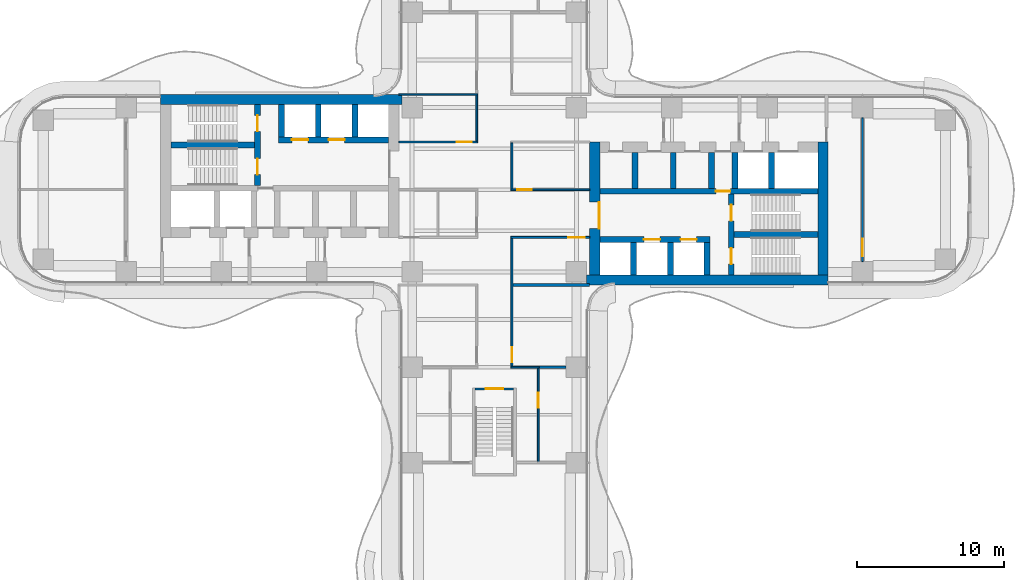
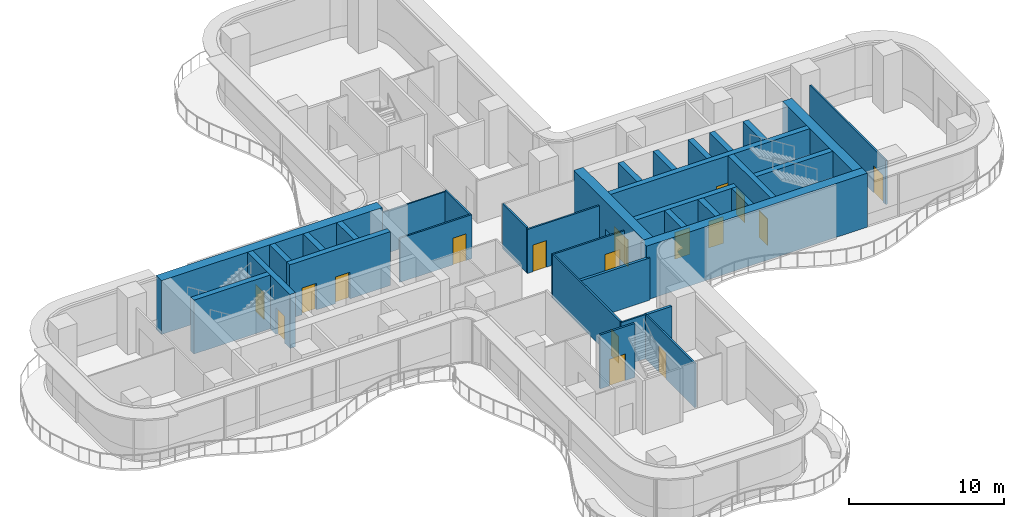
# One storey, part 18 of 22: 35 walls, 17 doors, 17 openings.
"""IFC4 building model written with IfcOpenShell, lengths in metres."""

from ifc_helpers import new_model, si_unit, direction, frame, frame_2d, origin, place, context, subcontext, project, spatial, rectangle, extrude, source, transform, mapped, material, layer, layer_set, type_object, element, fill, save


model = new_model("IFC4")

# Units and contexts
model_context = context("Model", 3, precision=1e-05, world=origin(), true_north=direction((0.0, 1.0)))
body_context = subcontext(model_context, "Body", "Model", "MODEL_VIEW")
ifc_project = project(units=[si_unit("LENGTHUNIT", "METRE"), si_unit("AREAUNIT", "SQUARE_METRE"), si_unit("VOLUMEUNIT", "CUBIC_METRE"), si_unit("PLANEANGLEUNIT", "RADIAN"), si_unit("MASSUNIT", "GRAM", prefix="KILO")], contexts=[model_context])

# Site, building, storey
site_placement = place(None, origin())
site = spatial("IfcSite", under=ifc_project, at=site_placement, CompositionType="ELEMENT")
building_placement = place(site_placement, origin())
building = spatial("IfcBuilding", under=site, at=building_placement, Name="Trellis Farm Tower", CompositionType="ELEMENT")
storey_placement = place(building_placement, frame((0.0, 0.0, 43.0)))
storey = spatial("IfcBuildingStorey", under=building, at=storey_placement, Name="L08", CompositionType="ELEMENT", Elevation=43.0)

# Wall, opening, door
ifc_material_1 = material(Name="Concrete C80/95", Category="concrete")
ifc_layer_1 = layer(ifc_material_1, 0.699951171875)
ifc_layer_set_1 = layer_set([ifc_layer_1], Name="CORE OUTER WALL 700 CONCRETE C80/95")
wall_type_1 = type_object("IfcWallType", Name="CORE OUTER WALL 700 CONCRETE C80/95", PredefinedType="SHEAR", material=ifc_layer_set_1)
shared_shape_1 = source(origin(), body_context, "Body", "SweptSolid", [
    extrude(rectangle(XDim=9.050048828125, YDim=0.699951171875, at=frame_2d((4.52490234375, 0.0))), origin(), (0.0, 0.0, 1.0), 4.25),
])
wall_1_placement = place(storey_placement, frame((6.85009765625, -5.800048828125, 0.0), z_axis=(0.0, 0.0, 1.0), x_axis=(0.0, 1.0, 0.0)))
wall_1 = element("IfcWall", 1, at=wall_1_placement, inside=storey, type_object=wall_type_1, Name="Core wall", PredefinedType="SHEAR", context=body_context, shape_type="MappedRepresentation", body=[
    mapped(shared_shape_1, transform((0.0, 0.0, 0.0))),
])
shared_shape_2 = source(origin(), body_context, "Body", "SweptSolid", [
    extrude(rectangle(XDim=1.800048828125, YDim=2.10009765625, at=frame_2d((0.89990234375, 1.050048828125))), frame((0.0, 0.360107421875, 0.0), z_axis=(0.0, -1.0, 0.0), x_axis=(1.0, 0.0, 0.0)), (0.0, 0.0, 1.0), 0.72021484375),
])
opening_1_placement = place(wall_1_placement, frame((3.14990234375, 0.0, 0.0)))
opening_1 = element("IfcOpeningElement", 2, at=opening_1_placement, cuts=wall_1, Name="Opening DC1", PredefinedType="OPENING", context=body_context, shape_type="MappedRepresentation", body=[
    mapped(shared_shape_2, transform((0.0, 0.0, 0.0))),
])
ifc_material_2 = material(Name="Steel", Category="steel")
door_type_1 = type_object("IfcDoorType", Name="CORE FIRE DOOR DOUBLE 1800 X 2100", OperationType="DOUBLE_DOOR_SINGLE_SWING", PredefinedType="DOOR", material=ifc_material_2)
shared_shape_3 = source(origin(), body_context, "Body", "SweptSolid", [
    extrude(rectangle(XDim=1.800048828125, YDim=2.10009765625, at=frame_2d((0.89990234375, 1.050048828125))), frame((0.0, -0.27490234375, 0.0), z_axis=(0.0, -1.0, 0.0), x_axis=(1.0, 0.0, 0.0)), (0.0, 0.0, 1.0), 0.050048828125),
])
door_1_placement = place(opening_1_placement, origin())
door_1 = element("IfcDoor", 3, at=door_1_placement, inside=storey, type_object=door_type_1, Name="Core door", OperationType="DOUBLE_DOOR_SINGLE_SWING", OverallHeight=2.10009765625, OverallWidth=1.800048828125, PredefinedType="DOOR", context=body_context, shape_type="MappedRepresentation", body=[
    mapped(shared_shape_3, transform((0.0, 0.0, 0.0))),
])
fill(opening_1, door_1)

# Walls
wall_2_placement = place(storey_placement, frame((22.39990234375, -5.800048828125, 0.0), z_axis=(0.0, 0.0, 1.0), x_axis=(0.0, 1.0, 0.0)))
element("IfcWall", 4, at=wall_2_placement, inside=storey, type_object=wall_type_1, Name="Core wall", PredefinedType="SHEAR", context=body_context, shape_type="MappedRepresentation", body=[
    mapped(shared_shape_1, transform((0.0, 0.0, 0.0))),
])
ifc_layer_2 = layer(ifc_material_1, 0.39990234375)
ifc_layer_set_2 = layer_set([ifc_layer_2], Name="CORE INNER WALL 400 CONCRETE C80/95")
wall_type_2 = type_object("IfcWallType", Name="CORE INNER WALL 400 CONCRETE C80/95", PredefinedType="SHEAR", material=ifc_layer_set_2)
shared_shape_4 = source(origin(), body_context, "Body", "SweptSolid", [
    extrude(rectangle(XDim=2.199951171875, YDim=0.39990234375, at=frame_2d((1.10009765625, 0.0))), origin(), (0.0, 0.0, 1.0), 4.25),
])
for number, where, z_axis, x_axis, name in (
    (5, (9.5, -5.800048828125, 0.0), (0.0, 0.0, 1.0), (0.0, 1.0, 0.0), "Core wall"),
    (6, (12.0, -5.800048828125, 0.0), (0.0, 0.0, 1.0), (0.0, 1.0, 0.0), "Core wall"),
    (7, (14.5, -5.800048828125, 0.0), (0.0, 0.0, 1.0), (0.0, 1.0, 0.0), "Core wall"),
    (8, (-9.5, 5.800048828125, 0.0), (0.0, 0.0, 1.0), (0.0, -1.0, 0.0), "Core wall"),
    (9, (-12.0, 5.800048828125, 0.0), (0.0, 0.0, 1.0), (0.0, -1.0, 0.0), "Core wall"),
    (10, (-14.5, 5.800048828125, 0.0), (0.0, 0.0, 1.0), (0.0, -1.0, 0.0), "Core wall"),
):
    element("IfcWall", number, at=place(storey_placement, frame(where, z_axis=z_axis, x_axis=x_axis)), inside=storey, type_object=wall_type_2, Name=name, PredefinedType="SHEAR", context=body_context, shape_type="MappedRepresentation", body=[
        mapped(shared_shape_4, transform((0.0, 0.0, 0.0))),
    ])
shared_shape_5 = source(origin(), body_context, "Body", "SweptSolid", [
    extrude(rectangle(XDim=2.449951171875, YDim=0.39990234375, at=frame_2d((1.22509765625, 0.0))), origin(), (0.0, 0.0, 1.0), 4.25),
])
for number, where, z_axis, x_axis, name in (
    (11, (9.60009765625, 0.10009765625, 0.0), (0.0, 0.0, 1.0), (0.0, 1.0, 0.0), "Core wall"),
    (12, (12.199951171875, 0.10009765625, 0.0), (0.0, 0.0, 1.0), (0.0, 1.0, 0.0), "Core wall"),
    (13, (14.800048828125, 0.10009765625, 0.0), (0.0, 0.0, 1.0), (0.0, 1.0, 0.0), "Core wall"),
    (14, (16.39990234375, 0.10009765625, 0.0), (0.0, 0.0, 1.0), (0.0, 1.0, 0.0), "Core wall"),
    (15, (18.89990234375, 0.10009765625, 0.0), (0.0, 0.0, 1.0), (0.0, 1.0, 0.0), "Core wall"),
):
    element("IfcWall", number, at=place(storey_placement, frame(where, z_axis=z_axis, x_axis=x_axis)), inside=storey, type_object=wall_type_2, Name=name, PredefinedType="SHEAR", context=body_context, shape_type="MappedRepresentation", body=[
        mapped(shared_shape_5, transform((0.0, 0.0, 0.0))),
    ])
shared_shape_6 = source(origin(), body_context, "Body", "SweptSolid", [
    extrude(rectangle(XDim=16.449951171875, YDim=0.699951171875, at=frame_2d((8.22509765625, 0.0))), origin(), (0.0, 0.0, 1.0), 4.25),
])
for number, where, z_axis, x_axis, name in (
    (16, (6.300048828125, -6.14990234375, 0.0), (0.0, 0.0, 1.0), (1.0, 0.0, 0.0), "Core wall"),
    (17, (-6.300048828125, 6.14990234375, 0.0), (0.0, 0.0, 1.0), (-1.0, 0.0, 0.0), "Core wall"),
):
    element("IfcWall", number, at=place(storey_placement, frame(where, z_axis=z_axis, x_axis=x_axis)), inside=storey, type_object=wall_type_1, Name=name, PredefinedType="SHEAR", context=body_context, shape_type="MappedRepresentation", body=[
        mapped(shared_shape_6, transform((0.0, 0.0, 0.0))),
    ])

# Wall, openings, doors
shared_shape_7 = source(origin(), body_context, "Body", "SweptSolid", [
    extrude(rectangle(XDim=7.5, YDim=0.39990234375, at=frame_2d((3.75, 0.0))), origin(), (0.0, 0.0, 1.0), 4.25),
])
wall_3_placement = place(storey_placement, frame((7.199951171875, -3.39990234375, 0.0), z_axis=(0.0, 0.0, 1.0), x_axis=(1.0, 0.0, 0.0)))
wall_3 = element("IfcWall", 18, at=wall_3_placement, inside=storey, type_object=wall_type_2, Name="Core wall", PredefinedType="SHEAR", context=body_context, shape_type="MappedRepresentation", body=[
    mapped(shared_shape_7, transform((0.0, 0.0, 0.0))),
])
shared_shape_8 = source(origin(), body_context, "Body", "SweptSolid", [
    extrude(rectangle(XDim=1.10009765625, YDim=2.10009765625, at=frame_2d((0.550048828125, 1.050048828125))), frame((0.0, 0.2099609375, 0.0), z_axis=(0.0, -1.0, 0.0), x_axis=(1.0, 0.0, 0.0)), (0.0, 0.0, 1.0), 0.419921875),
])
opening_2_placement = place(wall_3_placement, frame((3.0, 0.0, 0.0)))
opening_2 = element("IfcOpeningElement", 19, at=opening_2_placement, cuts=wall_3, Name="Opening LD2", PredefinedType="OPENING", context=body_context, shape_type="MappedRepresentation", body=[
    mapped(shared_shape_8, transform((0.0, 0.0, 0.0))),
])
opening_3_placement = place(wall_3_placement, frame((5.5, 0.0, 0.0)))
opening_3 = element("IfcOpeningElement", 20, at=opening_3_placement, cuts=wall_3, Name="Opening LD3", PredefinedType="OPENING", context=body_context, shape_type="MappedRepresentation", body=[
    mapped(shared_shape_8, transform((0.0, 0.0, 0.0))),
])
ifc_material_3 = material(Name="Stainless steel", Category="steel")
door_type_2 = type_object("IfcDoorType", Name="LIFT LANDING DOOR 1100 X 2100", OperationType="DOUBLE_DOOR_SLIDING", PredefinedType="DOOR", material=ifc_material_3)
shared_shape_9 = source(origin(), body_context, "Body", "SweptSolid", [
    extrude(rectangle(XDim=1.10009765625, YDim=2.10009765625, at=frame_2d((0.550048828125, 1.050048828125))), frame((0.0, 0.02490234375, 0.0), z_axis=(0.0, -1.0, 0.0), x_axis=(1.0, 0.0, 0.0)), (0.0, 0.0, 1.0), 0.050048828125),
])
door_2_placement = place(opening_2_placement, origin())
door_2 = element("IfcDoor", 21, at=door_2_placement, inside=storey, type_object=door_type_2, Name="Lift landing door", OperationType="DOUBLE_DOOR_SLIDING", OverallHeight=2.10009765625, OverallWidth=1.10009765625, PredefinedType="DOOR", context=body_context, shape_type="MappedRepresentation", body=[
    mapped(shared_shape_9, transform((0.0, 0.0, 0.0))),
])
fill(opening_2, door_2)
door_3_placement = place(opening_3_placement, origin())
door_3 = element("IfcDoor", 22, at=door_3_placement, inside=storey, type_object=door_type_2, Name="Lift landing door", OperationType="DOUBLE_DOOR_SLIDING", OverallHeight=2.10009765625, OverallWidth=1.10009765625, PredefinedType="DOOR", context=body_context, shape_type="MappedRepresentation", body=[
    mapped(shared_shape_9, transform((0.0, 0.0, 0.0))),
])
fill(opening_3, door_3)

wall_4_placement = place(storey_placement, frame((-7.199951171875, 3.39990234375, 0.0), z_axis=(0.0, 0.0, 1.0), x_axis=(-1.0, 0.0, 0.0)))
wall_4 = element("IfcWall", 23, at=wall_4_placement, inside=storey, type_object=wall_type_2, Name="Core wall", PredefinedType="SHEAR", context=body_context, shape_type="MappedRepresentation", body=[
    mapped(shared_shape_7, transform((0.0, 0.0, 0.0))),
])
opening_4_placement = place(wall_4_placement, frame((3.0, 0.0, 0.0)))
opening_4 = element("IfcOpeningElement", 24, at=opening_4_placement, cuts=wall_4, Name="Opening LD10", PredefinedType="OPENING", context=body_context, shape_type="MappedRepresentation", body=[
    mapped(shared_shape_8, transform((0.0, 0.0, 0.0))),
])
opening_5_placement = place(wall_4_placement, frame((5.5, 0.0, 0.0)))
opening_5 = element("IfcOpeningElement", 25, at=opening_5_placement, cuts=wall_4, Name="Opening LD11", PredefinedType="OPENING", context=body_context, shape_type="MappedRepresentation", body=[
    mapped(shared_shape_8, transform((0.0, 0.0, 0.0))),
])
door_4_placement = place(opening_4_placement, origin())
door_4 = element("IfcDoor", 26, at=door_4_placement, inside=storey, type_object=door_type_2, Name="Lift landing door", OperationType="DOUBLE_DOOR_SLIDING", OverallHeight=2.10009765625, OverallWidth=1.10009765625, PredefinedType="DOOR", context=body_context, shape_type="MappedRepresentation", body=[
    mapped(shared_shape_9, transform((0.0, 0.0, 0.0))),
])
fill(opening_4, door_4)
door_5_placement = place(opening_5_placement, origin())
door_5 = element("IfcDoor", 27, at=door_5_placement, inside=storey, type_object=door_type_2, Name="Lift landing door", OperationType="DOUBLE_DOOR_SLIDING", OverallHeight=2.10009765625, OverallWidth=1.10009765625, PredefinedType="DOOR", context=body_context, shape_type="MappedRepresentation", body=[
    mapped(shared_shape_9, transform((0.0, 0.0, 0.0))),
])
fill(opening_5, door_5)

# Wall, opening, door
shared_shape_10 = source(origin(), body_context, "Body", "SweptSolid", [
    extrude(rectangle(XDim=14.85009765625, YDim=0.39990234375, at=frame_2d((7.425048828125, 0.0))), origin(), (0.0, 0.0, 1.0), 4.25),
])
wall_5_placement = place(storey_placement, frame((7.199951171875, -0.10009765625, 0.0), z_axis=(0.0, 0.0, 1.0), x_axis=(1.0, 0.0, 0.0)))
wall_5 = element("IfcWall", 28, at=wall_5_placement, inside=storey, type_object=wall_type_2, Name="Core wall", PredefinedType="SHEAR", context=body_context, shape_type="MappedRepresentation", body=[
    mapped(shared_shape_10, transform((0.0, 0.0, 0.0))),
])
shared_shape_11 = source(origin(), body_context, "Body", "SweptSolid", [
    extrude(rectangle(XDim=1.0, YDim=2.10009765625, at=frame_2d((0.5, 1.050048828125))), frame((0.0, 0.2099609375, 0.0), z_axis=(0.0, -1.0, 0.0), x_axis=(1.0, 0.0, 0.0)), (0.0, 0.0, 1.0), 0.419921875),
])
opening_6_placement = place(wall_5_placement, frame((7.89990234375, 0.0, 0.0)))
opening_6 = element("IfcOpeningElement", 29, at=opening_6_placement, cuts=wall_5, Name="Opening DC5", PredefinedType="OPENING", context=body_context, shape_type="MappedRepresentation", body=[
    mapped(shared_shape_11, transform((0.0, 0.0, 0.0))),
])
door_type_3 = type_object("IfcDoorType", Name="CORE FIRE DOOR 1000 X 2100", OperationType="NOTDEFINED", PredefinedType="DOOR", material=ifc_material_2)
shared_shape_12 = source(origin(), body_context, "Body", "SweptSolid", [
    extrude(rectangle(XDim=1.0, YDim=2.10009765625, at=frame_2d((0.5, 1.050048828125))), frame((0.0, 0.02490234375, 0.0), z_axis=(0.0, -1.0, 0.0), x_axis=(1.0, 0.0, 0.0)), (0.0, 0.0, 1.0), 0.050048828125),
])
door_6_placement = place(opening_6_placement, origin())
door_6 = element("IfcDoor", 30, at=door_6_placement, inside=storey, type_object=door_type_3, Name="Core door", OperationType="SINGLE_SWING_RIGHT", OverallHeight=2.10009765625, OverallWidth=1.0, PredefinedType="DOOR", context=body_context, shape_type="MappedRepresentation", body=[
    mapped(shared_shape_12, transform((0.0, 0.0, 0.0))),
])
fill(opening_6, door_6)

# Wall, openings, doors
shared_shape_13 = source(origin(), body_context, "Body", "SweptSolid", [
    extrude(rectangle(XDim=5.5, YDim=0.39990234375, at=frame_2d((2.75, 0.0))), origin(), (0.0, 0.0, 1.0), 4.25),
])
wall_6_placement = place(storey_placement, frame((16.14990234375, -5.800048828125, 0.0), z_axis=(0.0, 0.0, 1.0), x_axis=(0.0, 1.0, 0.0)))
wall_6 = element("IfcWall", 31, at=wall_6_placement, inside=storey, type_object=wall_type_2, Name="Core wall", PredefinedType="SHEAR", context=body_context, shape_type="MappedRepresentation", body=[
    mapped(shared_shape_13, transform((0.0, 0.0, 0.0))),
])
opening_7_placement = place(wall_6_placement, frame((0.72509765625, 0.0, 0.0)))
opening_7 = element("IfcOpeningElement", 32, at=opening_7_placement, cuts=wall_6, Name="Opening DC2", PredefinedType="OPENING", context=body_context, shape_type="MappedRepresentation", body=[
    mapped(shared_shape_8, transform((0.0, 0.0, 0.0))),
])
opening_8_placement = place(wall_6_placement, frame((3.675048828125, 0.0, 0.0)))
opening_8 = element("IfcOpeningElement", 33, at=opening_8_placement, cuts=wall_6, Name="Opening DC3", PredefinedType="OPENING", context=body_context, shape_type="MappedRepresentation", body=[
    mapped(shared_shape_8, transform((0.0, 0.0, 0.0))),
])
door_type_4 = type_object("IfcDoorType", Name="CORE FIRE DOOR 1100 X 2100", OperationType="NOTDEFINED", PredefinedType="DOOR", material=ifc_material_2)
door_7_placement = place(opening_7_placement, origin())
door_7 = element("IfcDoor", 34, at=door_7_placement, inside=storey, type_object=door_type_4, Name="Core door", OperationType="SINGLE_SWING_RIGHT", OverallHeight=2.10009765625, OverallWidth=1.10009765625, PredefinedType="DOOR", context=body_context, shape_type="MappedRepresentation", body=[
    mapped(shared_shape_9, transform((0.0, 0.0, 0.0))),
])
fill(opening_7, door_7)
door_8_placement = place(opening_8_placement, origin())
door_8 = element("IfcDoor", 35, at=door_8_placement, inside=storey, type_object=door_type_4, Name="Core door", OperationType="SINGLE_SWING_LEFT", OverallHeight=2.10009765625, OverallWidth=1.10009765625, PredefinedType="DOOR", context=body_context, shape_type="MappedRepresentation", body=[
    mapped(shared_shape_9, transform((0.0, 0.0, 0.0))),
])
fill(opening_8, door_8)

wall_7_placement = place(storey_placement, frame((-16.14990234375, 5.800048828125, 0.0), z_axis=(0.0, 0.0, 1.0), x_axis=(0.0, -1.0, 0.0)))
wall_7 = element("IfcWall", 36, at=wall_7_placement, inside=storey, type_object=wall_type_2, Name="Core wall", PredefinedType="SHEAR", context=body_context, shape_type="MappedRepresentation", body=[
    mapped(shared_shape_13, transform((0.0, 0.0, 0.0))),
])
opening_9_placement = place(wall_7_placement, frame((0.72509765625, 0.0, 0.0)))
opening_9 = element("IfcOpeningElement", 37, at=opening_9_placement, cuts=wall_7, Name="Opening DC88", PredefinedType="OPENING", context=body_context, shape_type="MappedRepresentation", body=[
    mapped(shared_shape_8, transform((0.0, 0.0, 0.0))),
])
opening_10_placement = place(wall_7_placement, frame((3.675048828125, 0.0, 0.0)))
opening_10 = element("IfcOpeningElement", 38, at=opening_10_placement, cuts=wall_7, Name="Opening DC89", PredefinedType="OPENING", context=body_context, shape_type="MappedRepresentation", body=[
    mapped(shared_shape_8, transform((0.0, 0.0, 0.0))),
])
door_9_placement = place(opening_9_placement, origin())
door_9 = element("IfcDoor", 39, at=door_9_placement, inside=storey, type_object=door_type_4, Name="Core door", OperationType="SINGLE_SWING_RIGHT", OverallHeight=2.10009765625, OverallWidth=1.10009765625, PredefinedType="DOOR", context=body_context, shape_type="MappedRepresentation", body=[
    mapped(shared_shape_9, transform((0.0, 0.0, 0.0))),
])
fill(opening_9, door_9)
door_10_placement = place(opening_10_placement, origin())
door_10 = element("IfcDoor", 40, at=door_10_placement, inside=storey, type_object=door_type_4, Name="Core door", OperationType="SINGLE_SWING_LEFT", OverallHeight=2.10009765625, OverallWidth=1.10009765625, PredefinedType="DOOR", context=body_context, shape_type="MappedRepresentation", body=[
    mapped(shared_shape_9, transform((0.0, 0.0, 0.0))),
])
fill(opening_10, door_10)

# Walls
shared_shape_14 = source(origin(), body_context, "Body", "SweptSolid", [
    extrude(rectangle(XDim=5.699951171875, YDim=0.39990234375, at=frame_2d((2.85009765625, 0.0))), origin(), (0.0, 0.0, 1.0), 4.25),
])
for number, where, z_axis, x_axis, name in (
    (41, (16.35009765625, -3.050048828125, 0.0), (0.0, 0.0, 1.0), (1.0, 0.0, 0.0), "Core wall"),
    (42, (-16.35009765625, 3.050048828125, 0.0), (0.0, 0.0, 1.0), (-1.0, 0.0, 0.0), "Core wall"),
):
    element("IfcWall", number, at=place(storey_placement, frame(where, z_axis=z_axis, x_axis=x_axis)), inside=storey, type_object=wall_type_2, Name=name, PredefinedType="SHEAR", context=body_context, shape_type="MappedRepresentation", body=[
        mapped(shared_shape_14, transform((0.0, 0.0, 0.0))),
    ])

# Wall, opening, door
ifc_layer_3 = layer(ifc_material_1, 0.14990234375)
ifc_layer_set_3 = layer_set([ifc_layer_3], Name="CORE STAIR ENCLOSURE WALL 150 CONCRETE C80/95")
wall_type_3 = type_object("IfcWallType", Name="CORE STAIR ENCLOSURE WALL 150 CONCRETE C80/95", PredefinedType="SHEAR", material=ifc_layer_set_3)
shared_shape_15 = source(origin(), body_context, "Body", "SweptSolid", [
    extrude(rectangle(XDim=2.60009765625, YDim=0.14990234375, at=frame_2d((1.300048828125, 0.0))), origin(), (0.0, 0.0, 1.0), 4.25),
])
wall_8_placement = place(storey_placement, frame((1.300048828125, -13.574951171875, 0.0), z_axis=(0.0, 0.0, 1.0), x_axis=(-1.0, 0.0, 0.0)))
wall_8 = element("IfcWall", 43, at=wall_8_placement, inside=storey, type_object=wall_type_3, Name="Stair enclosure wall", PredefinedType="SHEAR", context=body_context, shape_type="MappedRepresentation", body=[
    mapped(shared_shape_15, transform((0.0, 0.0, 0.0))),
])
shared_shape_16 = source(origin(), body_context, "Body", "SweptSolid", [
    extrude(rectangle(XDim=1.199951171875, YDim=2.10009765625, at=frame_2d((0.60009765625, 1.050048828125))), frame((0.0, 0.0849609375, 0.0), z_axis=(0.0, -1.0, 0.0), x_axis=(1.0, 0.0, 0.0)), (0.0, 0.0, 1.0), 0.169921875),
])
opening_11_placement = place(wall_8_placement, frame((0.699951171875, 0.0, 0.0)))
opening_11 = element("IfcOpeningElement", 44, at=opening_11_placement, cuts=wall_8, Name="Opening DC174", PredefinedType="OPENING", context=body_context, shape_type="MappedRepresentation", body=[
    mapped(shared_shape_16, transform((0.0, 0.0, 0.0))),
])
door_type_5 = type_object("IfcDoorType", Name="CORE FIRE DOOR 1200 X 2100", OperationType="NOTDEFINED", PredefinedType="DOOR", material=ifc_material_2)
shared_shape_17 = source(origin(), body_context, "Body", "SweptSolid", [
    extrude(rectangle(XDim=1.199951171875, YDim=2.10009765625, at=frame_2d((0.60009765625, 1.050048828125))), frame((0.0, 0.02490234375, 0.0), z_axis=(0.0, -1.0, 0.0), x_axis=(1.0, 0.0, 0.0)), (0.0, 0.0, 1.0), 0.050048828125),
])
door_11_placement = place(opening_11_placement, origin())
door_11 = element("IfcDoor", 45, at=door_11_placement, inside=storey, type_object=door_type_5, Name="Core door", OperationType="SINGLE_SWING_RIGHT", OverallHeight=2.10009765625, OverallWidth=1.199951171875, PredefinedType="DOOR", context=body_context, shape_type="MappedRepresentation", body=[
    mapped(shared_shape_17, transform((0.0, 0.0, 0.0))),
])
fill(opening_11, door_11)

# Wall
ifc_material_4 = material(Name="Plasterboard on steel studs, mineral wool", Category="steel")
ifc_layer_4 = layer(ifc_material_4, 0.125)
ifc_layer_set_4 = layer_set([ifc_layer_4], Name="PARTITION 125 STUD EI 60")
wall_type_4 = type_object("IfcWallType", Name="PARTITION 125 STUD EI 60", PredefinedType="PARTITIONING", material=ifc_layer_set_4)
shared_shape_18 = source(origin(), body_context, "Body", "SweptSolid", [
    extrude(rectangle(XDim=3.125, YDim=0.125, at=frame_2d((1.5625, 0.0))), origin(), (0.0, 0.0, 1.0), 3.54638671875),
])
wall_9_placement = place(storey_placement, frame((1.199951171875, 3.1875, 0.0), z_axis=(0.0, 0.0, 1.0), x_axis=(0.0, -1.0, 0.0)))
element("IfcWall", 46, at=wall_9_placement, inside=storey, type_object=wall_type_4, Name="Partition PW1", PredefinedType="PARTITIONING", context=body_context, shape_type="MappedRepresentation", body=[
    mapped(shared_shape_18, transform((0.0, 0.0, 0.0))),
])

# Wall, opening, door
shared_shape_19 = source(origin(), body_context, "Body", "SweptSolid", [
    extrude(rectangle(XDim=6.35009765625, YDim=0.125, at=frame_2d((3.175048828125, 0.0))), origin(), (0.0, 0.0, 1.0), 3.4677734375),
])
wall_10_placement = place(storey_placement, frame((3.0, -12.199951171875, 0.0), z_axis=(0.0, 0.0, 1.0), x_axis=(0.0, -1.0, 0.0)))
wall_10 = element("IfcWall", 47, at=wall_10_placement, inside=storey, type_object=wall_type_4, Name="Partition PW1", PredefinedType="PARTITIONING", context=body_context, shape_type="MappedRepresentation", body=[
    mapped(shared_shape_19, transform((0.0, 0.0, 0.0))),
])
shared_shape_20 = source(origin(), body_context, "Body", "SweptSolid", [
    extrude(rectangle(XDim=1.0, YDim=2.10009765625, at=frame_2d((0.5, 1.050048828125))), frame((0.0, 0.072509765625, 0.0), z_axis=(0.0, -1.0, 0.0), x_axis=(1.0, 0.0, 0.0)), (0.0, 0.0, 1.0), 0.14501953125),
])
opening_12_placement = place(wall_10_placement, frame((1.64990234375, 0.0, 0.0)))
opening_12 = element("IfcOpeningElement", 48, at=opening_12_placement, cuts=wall_10, Name="Opening D103", PredefinedType="OPENING", context=body_context, shape_type="MappedRepresentation", body=[
    mapped(shared_shape_20, transform((0.0, 0.0, 0.0))),
])
ifc_material_5 = material(Name="Fire-rated timber door leaf in a hollow metal frame", Category="wood")
door_type_6 = type_object("IfcDoorType", Name="DOOR 1000x2100 FD30S", OperationType="NOTDEFINED", PredefinedType="DOOR", material=ifc_material_5)
door_12_placement = place(opening_12_placement, origin())
door_12 = element("IfcDoor", 49, at=door_12_placement, inside=storey, type_object=door_type_6, Name="Door D103", OperationType="SINGLE_SWING_LEFT", OverallHeight=2.10009765625, OverallWidth=1.0, PredefinedType="DOOR", context=body_context, shape_type="MappedRepresentation", body=[
    mapped(shared_shape_12, transform((0.0, 0.0, 0.0))),
])
fill(opening_12, door_12)

shared_shape_21 = source(origin(), body_context, "Body", "SweptSolid", [
    extrude(rectangle(XDim=9.7998046875, YDim=0.125, at=frame_2d((4.89990234375, 0.0))), origin(), (0.0, 0.0, 1.0), 3.4677734375),
])
wall_11_placement = place(storey_placement, frame((25.10009765625, 4.89990234375, 0.0), z_axis=(0.0, 0.0, 1.0), x_axis=(0.0, -1.0, 0.0)))
wall_11 = element("IfcWall", 50, at=wall_11_placement, inside=storey, type_object=wall_type_4, Name="Partition PW1", PredefinedType="PARTITIONING", context=body_context, shape_type="MappedRepresentation", body=[
    mapped(shared_shape_21, transform((0.0, 0.0, 0.0))),
])
shared_shape_22 = source(origin(), body_context, "Body", "SweptSolid", [
    extrude(rectangle(XDim=1.199951171875, YDim=2.10009765625, at=frame_2d((0.60009765625, 1.050048828125))), frame((0.0, 0.072509765625, 0.0), z_axis=(0.0, -1.0, 0.0), x_axis=(1.0, 0.0, 0.0)), (0.0, 0.0, 1.0), 0.14501953125),
])
opening_13_placement = place(wall_11_placement, frame((8.25, 0.0, 0.0)))
opening_13 = element("IfcOpeningElement", 51, at=opening_13_placement, cuts=wall_11, Name="Opening D601", PredefinedType="OPENING", context=body_context, shape_type="MappedRepresentation", body=[
    mapped(shared_shape_22, transform((0.0, 0.0, 0.0))),
])
door_type_7 = type_object("IfcDoorType", Name="DOOR 1200x2100 FD30S", OperationType="NOTDEFINED", PredefinedType="DOOR", material=ifc_material_5)
door_13_placement = place(opening_13_placement, origin())
door_13 = element("IfcDoor", 52, at=door_13_placement, inside=storey, type_object=door_type_7, Name="Door D601", OperationType="SINGLE_SWING_RIGHT", OverallHeight=2.10009765625, OverallWidth=1.199951171875, PredefinedType="DOOR", context=body_context, shape_type="MappedRepresentation", body=[
    mapped(shared_shape_17, transform((0.0, 0.0, 0.0))),
])
fill(opening_13, door_13)

# Wall
shared_shape_23 = source(origin(), body_context, "Body", "SweptSolid", [
    extrude(rectangle(XDim=1.925048828125, YDim=0.125, at=frame_2d((0.96240234375, 0.0))), origin(), (0.0, 0.0, 1.0), 3.4677734375),
])
wall_12_placement = place(storey_placement, frame((1.137451171875, -12.10009765625, 0.0), z_axis=(0.0, 0.0, 1.0), x_axis=(1.0, 0.0, 0.0)))
element("IfcWall", 53, at=wall_12_placement, inside=storey, type_object=wall_type_4, Name="Partition PW1", PredefinedType="PARTITIONING", context=body_context, shape_type="MappedRepresentation", body=[
    mapped(shared_shape_23, transform((0.0, 0.0, 0.0))),
])

# Wall, opening, door
shared_shape_24 = source(origin(), body_context, "Body", "SweptSolid", [
    extrude(rectangle(XDim=5.362548828125, YDim=0.125, at=frame_2d((2.68115234375, 0.0))), origin(), (0.0, 0.0, 1.0), 3.4677734375),
])
wall_13_placement = place(storey_placement, frame((6.5, -3.25, 0.0), z_axis=(0.0, 0.0, 1.0), x_axis=(-1.0, 0.0, 0.0)))
wall_13 = element("IfcWall", 54, at=wall_13_placement, inside=storey, type_object=wall_type_4, Name="Partition PW1", PredefinedType="PARTITIONING", context=body_context, shape_type="MappedRepresentation", body=[
    mapped(shared_shape_24, transform((0.0, 0.0, 0.0))),
])
shared_shape_25 = source(origin(), body_context, "Body", "SweptSolid", [
    extrude(rectangle(XDim=1.10009765625, YDim=2.10009765625, at=frame_2d((0.550048828125, 1.050048828125))), frame((0.0, 0.072509765625, 0.0), z_axis=(0.0, -1.0, 0.0), x_axis=(1.0, 0.0, 0.0)), (0.0, 0.0, 1.0), 0.14501953125),
])
opening_14_placement = place(wall_13_placement, frame((0.35009765625, 0.0, 0.0)))
opening_14 = element("IfcOpeningElement", 55, at=opening_14_placement, cuts=wall_13, Name="Opening D501", PredefinedType="OPENING", context=body_context, shape_type="MappedRepresentation", body=[
    mapped(shared_shape_25, transform((0.0, 0.0, 0.0))),
])
door_type_8 = type_object("IfcDoorType", Name="DOOR 1100x2100 FD30S", OperationType="NOTDEFINED", PredefinedType="DOOR", material=ifc_material_5)
door_14_placement = place(opening_14_placement, origin())
door_14 = element("IfcDoor", 56, at=door_14_placement, inside=storey, type_object=door_type_8, Name="Door D501", OperationType="SINGLE_SWING_LEFT", OverallHeight=2.10009765625, OverallWidth=1.10009765625, PredefinedType="DOOR", context=body_context, shape_type="MappedRepresentation", body=[
    mapped(shared_shape_9, transform((0.0, 0.0, 0.0))),
])
fill(opening_14, door_14)

wall_14_placement = place(storey_placement, frame((6.5, 0.0, 0.0), z_axis=(0.0, 0.0, 1.0), x_axis=(-1.0, 0.0, 0.0)))
wall_14 = element("IfcWall", 57, at=wall_14_placement, inside=storey, type_object=wall_type_4, Name="Partition PW1", PredefinedType="PARTITIONING", context=body_context, shape_type="MappedRepresentation", body=[
    mapped(shared_shape_24, transform((0.0, 0.0, 0.0))),
])
opening_15_placement = place(wall_14_placement, frame((3.949951171875, 0.0, 0.0)))
opening_15 = element("IfcOpeningElement", 58, at=opening_15_placement, cuts=wall_14, Name="Opening D108", PredefinedType="OPENING", context=body_context, shape_type="MappedRepresentation", body=[
    mapped(shared_shape_20, transform((0.0, 0.0, 0.0))),
])
door_15_placement = place(opening_15_placement, origin())
door_15 = element("IfcDoor", 59, at=door_15_placement, inside=storey, type_object=door_type_6, Name="Door D108", OperationType="SINGLE_SWING_RIGHT", OverallHeight=2.10009765625, OverallWidth=1.0, PredefinedType="DOOR", context=body_context, shape_type="MappedRepresentation", body=[
    mapped(shared_shape_12, transform((0.0, 0.0, 0.0))),
])
fill(opening_15, door_15)

wall_15_placement = place(storey_placement, frame((-6.5, 3.25, 0.0), z_axis=(0.0, 0.0, 1.0), x_axis=(1.0, 0.0, 0.0)))
wall_15 = element("IfcWall", 60, at=wall_15_placement, inside=storey, type_object=wall_type_4, Name="Partition PW1", PredefinedType="PARTITIONING", context=body_context, shape_type="MappedRepresentation", body=[
    mapped(shared_shape_24, transform((0.0, 0.0, 0.0))),
])
opening_16_placement = place(wall_15_placement, frame((3.949951171875, 0.0, 0.0)))
opening_16 = element("IfcOpeningElement", 61, at=opening_16_placement, cuts=wall_15, Name="Opening D109", PredefinedType="OPENING", context=body_context, shape_type="MappedRepresentation", body=[
    mapped(shared_shape_20, transform((0.0, 0.0, 0.0))),
])
door_16_placement = place(opening_16_placement, origin())
door_16 = element("IfcDoor", 62, at=door_16_placement, inside=storey, type_object=door_type_6, Name="Door D109", OperationType="SINGLE_SWING_RIGHT", OverallHeight=2.10009765625, OverallWidth=1.0, PredefinedType="DOOR", context=body_context, shape_type="MappedRepresentation", body=[
    mapped(shared_shape_12, transform((0.0, 0.0, 0.0))),
])
fill(opening_16, door_16)

# Walls
ifc_material_6 = material(Name="Lightweight blockwork, plastered", Category="masonry")
ifc_layer_5 = layer(ifc_material_6, 0.199951171875)
ifc_layer_set_5 = layer_set([ifc_layer_5], Name="BLOCK WALL 200 EI 120")
wall_type_5 = type_object("IfcWallType", Name="BLOCK WALL 200 EI 120", PredefinedType="PARTITIONING", material=ifc_layer_set_5)
shared_shape_26 = source(origin(), body_context, "Body", "SweptSolid", [
    extrude(rectangle(XDim=1.96240234375, YDim=0.199951171875, at=frame_2d((0.981201171875, 0.0))), origin(), (0.0, 0.0, 1.0), 3.4677734375),
])
wall_16_placement = place(storey_placement, frame((2.9375, -12.10009765625, 0.0), z_axis=(0.0, 0.0, 1.0), x_axis=(1.0, 0.0, 0.0)))
element("IfcWall", 63, at=wall_16_placement, inside=storey, type_object=wall_type_5, Name="Partition PW3", PredefinedType="PARTITIONING", context=body_context, shape_type="MappedRepresentation", body=[
    mapped(shared_shape_26, transform((0.0, 0.0, 0.0))),
])
shared_shape_27 = source(origin(), body_context, "Body", "SweptSolid", [
    extrude(rectangle(XDim=3.137451171875, YDim=0.125, at=frame_2d((1.56884765625, 0.0))), origin(), (0.0, 0.0, 1.0), 3.4677734375),
])
wall_17_placement = place(storey_placement, frame((-1.199951171875, 6.449951171875, 0.0), z_axis=(0.0, 0.0, 1.0), x_axis=(0.0, -1.0, 0.0)))
element("IfcWall", 64, at=wall_17_placement, inside=storey, type_object=wall_type_4, Name="Partition PW1", PredefinedType="PARTITIONING", context=body_context, shape_type="MappedRepresentation", body=[
    mapped(shared_shape_27, transform((0.0, 0.0, 0.0))),
])

# Wall, opening, door
shared_shape_28 = source(origin(), body_context, "Body", "SweptSolid", [
    extrude(rectangle(XDim=8.72509765625, YDim=0.125, at=frame_2d((4.362548828125, 0.0))), origin(), (0.0, 0.0, 1.0), 3.4677734375),
])
wall_18_placement = place(storey_placement, frame((1.199951171875, -3.3125, 0.0), z_axis=(0.0, 0.0, 1.0), x_axis=(0.0, -1.0, 0.0)))
wall_18 = element("IfcWall", 65, at=wall_18_placement, inside=storey, type_object=wall_type_4, Name="Partition PW1", PredefinedType="PARTITIONING", context=body_context, shape_type="MappedRepresentation", body=[
    mapped(shared_shape_28, transform((0.0, 0.0, 0.0))),
])
opening_17_placement = place(wall_18_placement, frame((7.4375, 0.0, 0.0)))
opening_17 = element("IfcOpeningElement", 66, at=opening_17_placement, cuts=wall_18, Name="Opening D301", PredefinedType="OPENING", context=body_context, shape_type="MappedRepresentation", body=[
    mapped(shared_shape_20, transform((0.0, 0.0, 0.0))),
])
door_type_9 = type_object("IfcDoorType", Name="DOOR 1000x2100 FD60", OperationType="NOTDEFINED", PredefinedType="DOOR", material=ifc_material_5)
door_17_placement = place(opening_17_placement, origin())
door_17 = element("IfcDoor", 67, at=door_17_placement, inside=storey, type_object=door_type_9, Name="Door D301", OperationType="SINGLE_SWING_RIGHT", OverallHeight=2.10009765625, OverallWidth=1.0, PredefinedType="DOOR", context=body_context, shape_type="MappedRepresentation", body=[
    mapped(shared_shape_12, transform((0.0, 0.0, 0.0))),
])
fill(opening_17, door_17)

# Walls
shared_shape_29 = source(origin(), body_context, "Body", "SweptSolid", [
    extrude(rectangle(XDim=5.237548828125, YDim=0.199951171875, at=frame_2d((2.61865234375, 0.0))), origin(), (0.0, 0.0, 1.0), 3.330078125),
])
wall_19_placement = place(storey_placement, frame((1.262451171875, -6.5, 0.0), z_axis=(0.0, 0.0, 1.0), x_axis=(1.0, 0.0, 0.0)))
element("IfcWall", 68, at=wall_19_placement, inside=storey, type_object=wall_type_5, Name="Partition PW3", PredefinedType="PARTITIONING", context=body_context, shape_type="MappedRepresentation", body=[
    mapped(shared_shape_29, transform((0.0, 0.0, 0.0))),
])
ifc_material_7 = material(Name="Plasterboard on steel studs", Category="steel")
ifc_layer_6 = layer(ifc_material_7, 0.10009765625)
ifc_layer_set_6 = layer_set([ifc_layer_6], Name="PARTITION 100 STUD EI 30")
wall_type_6 = type_object("IfcWallType", Name="PARTITION 100 STUD EI 30", PredefinedType="PARTITIONING", material=ifc_layer_set_6)
shared_shape_30 = source(origin(), body_context, "Body", "SweptSolid", [
    extrude(rectangle(XDim=5.362548828125, YDim=0.10009765625, at=frame_2d((2.68115234375, 0.0))), origin(), (0.0, 0.0, 1.0), 3.330078125),
])
wall_20_placement = place(storey_placement, frame((-6.5, 6.5, 0.0), z_axis=(0.0, 0.0, 1.0), x_axis=(1.0, 0.0, 0.0)))
element("IfcWall", 69, at=wall_20_placement, inside=storey, type_object=wall_type_6, Name="Partition PW2", PredefinedType="PARTITIONING", context=body_context, shape_type="MappedRepresentation", body=[
    mapped(shared_shape_30, transform((0.0, 0.0, 0.0))),
])

save(model, "model.ifc")
